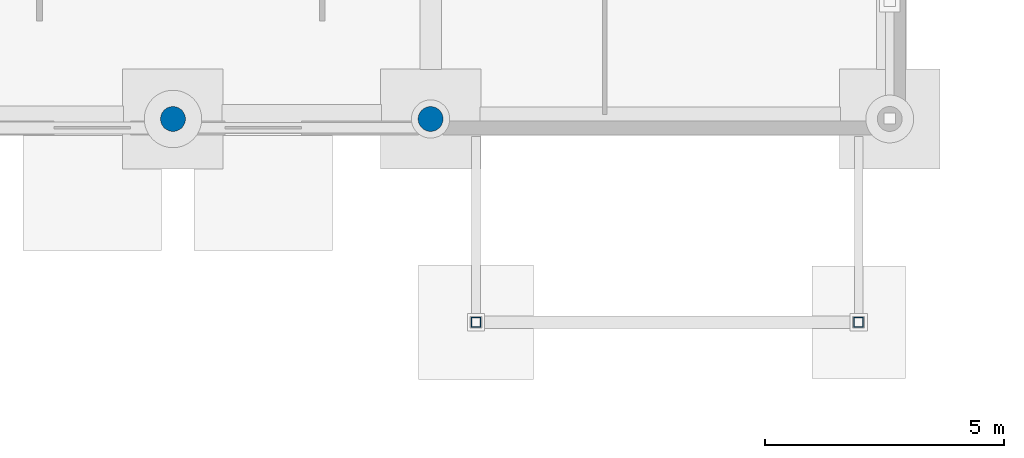
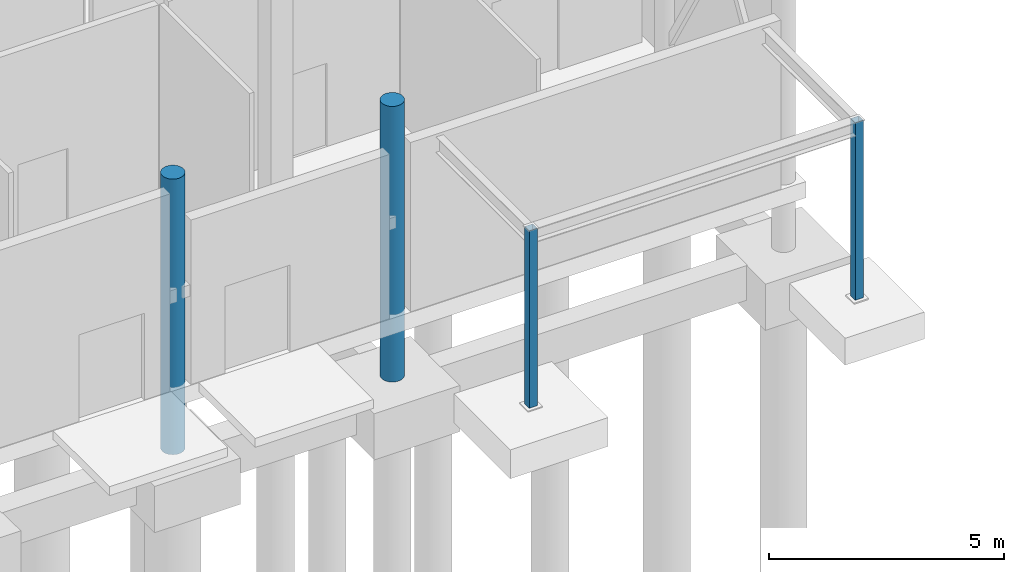
# One storey, part 11 of 88: 4 columns.
"""IFC4 building model written with IfcOpenShell, lengths in metres."""

from ifc_helpers import new_model, si_unit, direction, frame, origin, origin_2d, place, context, subcontext, project, spatial, hollow_rectangle, circle, extrude, material, material_profile, profile_set, type_object, element, save


model = new_model("IFC4")

# Units and contexts
model_context = context("Model", 3, precision=1e-05, world=origin(), true_north=direction((0.0, 1.0)))
body_context = subcontext(model_context, "Body", "Model", "MODEL_VIEW")
ifc_project = project(units=[si_unit("LENGTHUNIT", "METRE"), si_unit("AREAUNIT", "SQUARE_METRE"), si_unit("VOLUMEUNIT", "CUBIC_METRE"), si_unit("PLANEANGLEUNIT", "RADIAN"), si_unit("MASSUNIT", "GRAM", prefix="KILO")], contexts=[model_context])

# Site, building, storey
site_placement = place(None, origin())
site = spatial("IfcSite", under=ifc_project, at=site_placement, CompositionType="ELEMENT")
building_placement = place(site_placement, origin())
building = spatial("IfcBuilding", under=site, at=building_placement, Name="Birchvale Park Specialist Clinic", CompositionType="ELEMENT")
storey_placement = place(building_placement, origin())
storey = spatial("IfcBuildingStorey", under=building, at=storey_placement, Name="L00", CompositionType="ELEMENT", Elevation=0.0)

# Columns
ifc_material_1 = material(Name="Concrete C40/50", Category="concrete")
ifc_material_profile_1 = material_profile(ifc_material_1, circle(Radius=0.260009765625, at=origin_2d()), Name="RCC-520")
ifc_profile_set_1 = profile_set([ifc_material_profile_1], Name="Concrete C40/50")
column_type_1 = type_object("IfcColumnType", Name="COL-EXT-CC2", PredefinedType="COLUMN", material=ifc_profile_set_1)
for number, where, z_axis, x_axis, name in (
    (1, (84.46435546875, 91.550048828125, -1.75), (0.0, 0.0, 1.0), (1.0, 0.0, 0.0), "V3 L00 column 16"),
    (2, (89.85009765625, 91.550048828125, -1.75), (0.0, 0.0, 1.0), (1.0, 0.0, 0.0), "V3 L00 column 18"),
):
    element("IfcColumn", number, at=place(storey_placement, frame(where, z_axis=z_axis, x_axis=x_axis)), inside=storey, type_object=column_type_1, Name=name, PredefinedType="COLUMN", context=body_context, shape_type="SweptSolid", body=[
        extrude(circle(Radius=0.260009765625, at=origin_2d()), origin(), (0.0, 0.0, 1.0), 7.14990234375),
    ])
ifc_material_2 = material(Name="Steel ASTM A500 Grade C", Category="steel")
ifc_material_profile_2 = material_profile(ifc_material_2, hollow_rectangle(XDim=0.199951171875, YDim=0.199951171875, WallThickness=0.010009765625, at=origin_2d()), Name="HSS200X200X10")
ifc_profile_set_2 = profile_set([ifc_material_profile_2], Name="Steel ASTM A500 Grade C")
column_type_2 = type_object("IfcColumnType", Name="COL-STL-SC3", PredefinedType="COLUMN", material=ifc_profile_set_2)
for number, where, z_axis, x_axis, name in (
    (3, (90.800048828125, 87.300048828125, -0.27197265625), (0.0, 0.0, 1.0), (1.0, 0.0, 0.0), "L00 entrance canopy column 3"),
    (4, (98.800048828125, 87.300048828125, -0.27197265625), (0.0, 0.0, 1.0), (1.0, 0.0, 0.0), "L00 entrance canopy column 4"),
):
    element("IfcColumn", number, at=place(storey_placement, frame(where, z_axis=z_axis, x_axis=x_axis)), inside=storey, type_object=column_type_2, Name=name, PredefinedType="COLUMN", context=body_context, shape_type="SweptSolid", body=[
        extrude(hollow_rectangle(XDim=0.199951171875, YDim=0.199951171875, WallThickness=0.010009765625, at=origin_2d()), origin(), (0.0, 0.0, 1.0), 4.599853515625),
    ])

save(model, "model.ifc")
